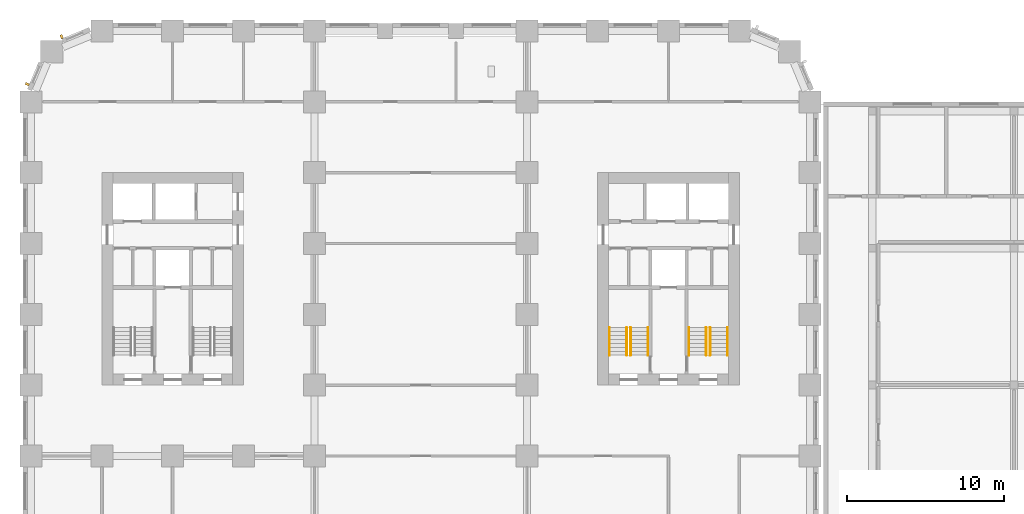
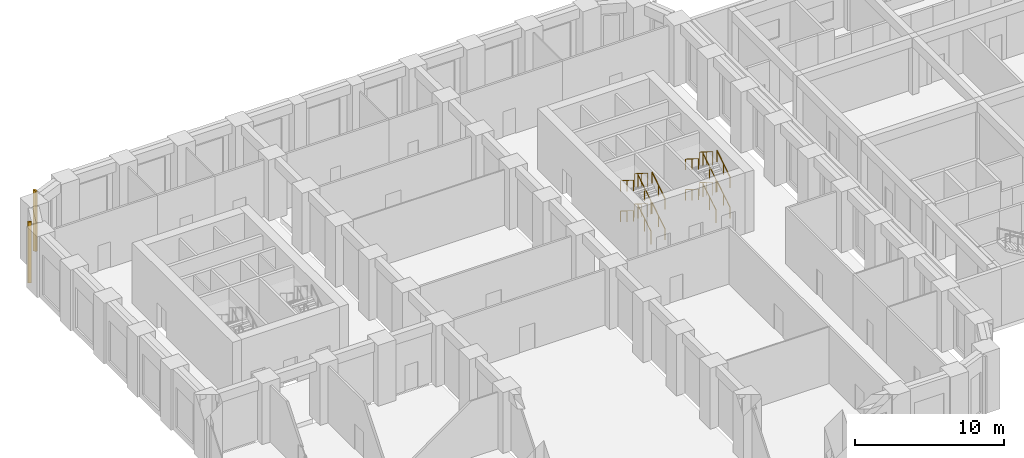
# One storey, part 15 of 19: 16 railings, 2 shading devices.
"""IFC4 building model written with IfcOpenShell, lengths in metres."""

from ifc_helpers import new_model, si_unit, direction, frame, origin, origin_2d, place, context, subcontext, project, spatial, rectangle, circle, extrude, material, type_object, element, save


model = new_model("IFC4")

# Units and contexts
model_context = context("Model", 3, precision=1e-05, world=origin(), true_north=direction((0.0, 1.0)))
body_context = subcontext(model_context, "Body", "Model", "MODEL_VIEW")
ifc_project = project(units=[si_unit("LENGTHUNIT", "METRE"), si_unit("AREAUNIT", "SQUARE_METRE"), si_unit("VOLUMEUNIT", "CUBIC_METRE"), si_unit("PLANEANGLEUNIT", "RADIAN"), si_unit("MASSUNIT", "GRAM", prefix="KILO")], contexts=[model_context])

# Site, building, storey
site_placement = place(None, origin())
site = spatial("IfcSite", under=ifc_project, at=site_placement, CompositionType="ELEMENT")
building_placement = place(site_placement, origin())
building = spatial("IfcBuilding", under=site, at=building_placement, Name="Girih Gate Residences", CompositionType="ELEMENT")
storey_placement = place(building_placement, frame((0.0, 0.0, 21.0)))
storey = spatial("IfcBuildingStorey", under=building, at=storey_placement, Name="L04", CompositionType="ELEMENT", Elevation=21.0)

# Shading devices
ifc_material_1 = material(Name="Precast concrete C50/60", Category="concrete")
shading_device_type = type_object("IfcShadingDeviceType", Name="Corner rib 150x250", PredefinedType="USERDEFINED", material=ifc_material_1)
for number, where, z_axis, x_axis, name in (
    (1, (1.9443359375, 49.14501953125, 0.0), (0.0, 0.0, 1.0), (-0.923879532511, -0.382683432365, 0.0), "Corner rib NW0045_0495.0"),
    (2, (-0.238037109375, 46.123779296875, 0.0), (0.0, 0.0, 1.0), (-0.382683432365, -0.923879532511, 0.0), "Corner rib NW0013_0482.0"),
):
    element("IfcShadingDevice", number, at=place(storey_placement, frame(where, z_axis=z_axis, x_axis=x_axis)), inside=storey, type_object=shading_device_type, Name=name, ObjectType="FIN", PredefinedType="USERDEFINED", context=body_context, shape_type="SweptSolid", body=[
        extrude(rectangle(XDim=0.14990234375, YDim=0.25, at=origin_2d()), origin(), (0.0, 0.0, 1.0), 5.0),
    ])

# Railings
ifc_material_2 = material(Name="Stainless steel", Category="steel")
railing_type_1 = type_object("IfcRailingType", Name="Stair guard 1100", PredefinedType="GUARDRAIL", material=ifc_material_2)
railing_1_placement = place(storey_placement, frame((43.14990234375, 28.89990234375, 0.15625)))
element("IfcRailing", 3, at=railing_1_placement, inside=storey, type_object=railing_type_1, Name="L04 ST-E1 stair guard 1", PredefinedType="GUARDRAIL", context=body_context, shape_type="SweptSolid", body=[
    extrude(circle(Radius=0.02392578125, at=origin_2d()), frame((0.0, 0.0, 1.076171875), z_axis=(0.0, 0.847998304005, 0.529998940003), x_axis=(-1.0, 0.0, 0.0)), (0.0, 0.0, 1.0), 2.063720703125),
    extrude(circle(Radius=0.02099609375, at=origin_2d()), origin(), (0.0, 0.0, 1.0), 1.052001953125),
    extrude(circle(Radius=0.02099609375, at=origin_2d()), frame((0.0, 0.875, 0.546875)), (0.0, 0.0, 1.0), 1.052001953125),
    extrude(circle(Radius=0.02099609375, at=origin_2d()), frame((0.0, 1.75, 1.09375)), (0.0, 0.0, 1.0), 1.052001953125),
])
railing_2_placement = place(storey_placement, frame((42.89990234375, 30.64990234375, 1.40625)))
element("IfcRailing", 4, at=railing_2_placement, inside=storey, type_object=railing_type_1, Name="L04 ST-E1 stair guard 2", PredefinedType="GUARDRAIL", context=body_context, shape_type="SweptSolid", body=[
    extrude(circle(Radius=0.02392578125, at=origin_2d()), frame((0.0, 0.0, 1.076171875), z_axis=(0.0, -0.847998304005, 0.529998940003), x_axis=(1.0, 0.0, 0.0)), (0.0, 0.0, 1.0), 2.063720703125),
    extrude(circle(Radius=0.02099609375, at=origin_2d()), origin(), (0.0, 0.0, 1.0), 1.052001953125),
    extrude(circle(Radius=0.02099609375, at=origin_2d()), frame((0.0, -0.875, 0.546875)), (0.0, 0.0, 1.0), 1.052001953125),
    extrude(circle(Radius=0.02099609375, at=origin_2d()), frame((0.0, -1.75, 1.09375)), (0.0, 0.0, 1.0), 1.052001953125),
])
railing_3_placement = place(storey_placement, frame((43.14990234375, 28.89990234375, 2.65625)))
element("IfcRailing", 5, at=railing_3_placement, inside=storey, type_object=railing_type_1, Name="L04 ST-E1 stair guard 3", PredefinedType="GUARDRAIL", context=body_context, shape_type="SweptSolid", body=[
    extrude(circle(Radius=0.02392578125, at=origin_2d()), frame((0.0, 0.0, 1.076171875), z_axis=(0.0, 0.847998304005, 0.529998940003), x_axis=(-1.0, 0.0, 0.0)), (0.0, 0.0, 1.0), 2.063720703125),
    extrude(circle(Radius=0.02099609375, at=origin_2d()), origin(), (0.0, 0.0, 1.0), 1.052001953125),
    extrude(circle(Radius=0.02099609375, at=origin_2d()), frame((0.0, 0.875, 0.546875)), (0.0, 0.0, 1.0), 1.052001953125),
    extrude(circle(Radius=0.02099609375, at=origin_2d()), frame((0.0, 1.75, 1.09375)), (0.0, 0.0, 1.0), 1.052001953125),
])
railing_4_placement = place(storey_placement, frame((42.89990234375, 30.64990234375, 3.90625)))
element("IfcRailing", 6, at=railing_4_placement, inside=storey, type_object=railing_type_1, Name="L04 ST-E1 stair guard 4", PredefinedType="GUARDRAIL", context=body_context, shape_type="SweptSolid", body=[
    extrude(circle(Radius=0.02392578125, at=origin_2d()), frame((0.0, 0.0, 1.076171875), z_axis=(0.0, -0.847998304005, 0.529998940003), x_axis=(1.0, 0.0, 0.0)), (0.0, 0.0, 1.0), 2.063720703125),
    extrude(circle(Radius=0.02099609375, at=origin_2d()), origin(), (0.0, 0.0, 1.0), 1.052001953125),
    extrude(circle(Radius=0.02099609375, at=origin_2d()), frame((0.0, -0.875, 0.546875)), (0.0, 0.0, 1.0), 1.052001953125),
    extrude(circle(Radius=0.02099609375, at=origin_2d()), frame((0.0, -1.75, 1.09375)), (0.0, 0.0, 1.0), 1.052001953125),
])
railing_5_placement = place(storey_placement, frame((38.10009765625, 28.89990234375, 0.15625)))
element("IfcRailing", 7, at=railing_5_placement, inside=storey, type_object=railing_type_1, Name="L04 ST-E2 stair guard 1", PredefinedType="GUARDRAIL", context=body_context, shape_type="SweptSolid", body=[
    extrude(circle(Radius=0.02392578125, at=origin_2d()), frame((0.0, 0.0, 1.076171875), z_axis=(0.0, 0.847998304005, 0.529998940003), x_axis=(-1.0, 0.0, 0.0)), (0.0, 0.0, 1.0), 2.063720703125),
    extrude(circle(Radius=0.02099609375, at=origin_2d()), origin(), (0.0, 0.0, 1.0), 1.052001953125),
    extrude(circle(Radius=0.02099609375, at=origin_2d()), frame((0.0, 0.875, 0.546875)), (0.0, 0.0, 1.0), 1.052001953125),
    extrude(circle(Radius=0.02099609375, at=origin_2d()), frame((0.0, 1.75, 1.09375)), (0.0, 0.0, 1.0), 1.052001953125),
])
railing_6_placement = place(storey_placement, frame((37.85009765625, 30.64990234375, 1.40625)))
element("IfcRailing", 8, at=railing_6_placement, inside=storey, type_object=railing_type_1, Name="L04 ST-E2 stair guard 2", PredefinedType="GUARDRAIL", context=body_context, shape_type="SweptSolid", body=[
    extrude(circle(Radius=0.02392578125, at=origin_2d()), frame((0.0, 0.0, 1.076171875), z_axis=(0.0, -0.847998304005, 0.529998940003), x_axis=(1.0, 0.0, 0.0)), (0.0, 0.0, 1.0), 2.063720703125),
    extrude(circle(Radius=0.02099609375, at=origin_2d()), origin(), (0.0, 0.0, 1.0), 1.052001953125),
    extrude(circle(Radius=0.02099609375, at=origin_2d()), frame((0.0, -0.875, 0.546875)), (0.0, 0.0, 1.0), 1.052001953125),
    extrude(circle(Radius=0.02099609375, at=origin_2d()), frame((0.0, -1.75, 1.09375)), (0.0, 0.0, 1.0), 1.052001953125),
])
railing_7_placement = place(storey_placement, frame((38.10009765625, 28.89990234375, 2.65625)))
element("IfcRailing", 9, at=railing_7_placement, inside=storey, type_object=railing_type_1, Name="L04 ST-E2 stair guard 3", PredefinedType="GUARDRAIL", context=body_context, shape_type="SweptSolid", body=[
    extrude(circle(Radius=0.02392578125, at=origin_2d()), frame((0.0, 0.0, 1.076171875), z_axis=(0.0, 0.847998304005, 0.529998940003), x_axis=(-1.0, 0.0, 0.0)), (0.0, 0.0, 1.0), 2.063720703125),
    extrude(circle(Radius=0.02099609375, at=origin_2d()), origin(), (0.0, 0.0, 1.0), 1.052001953125),
    extrude(circle(Radius=0.02099609375, at=origin_2d()), frame((0.0, 0.875, 0.546875)), (0.0, 0.0, 1.0), 1.052001953125),
    extrude(circle(Radius=0.02099609375, at=origin_2d()), frame((0.0, 1.75, 1.09375)), (0.0, 0.0, 1.0), 1.052001953125),
])
railing_8_placement = place(storey_placement, frame((37.85009765625, 30.64990234375, 3.90625)))
element("IfcRailing", 10, at=railing_8_placement, inside=storey, type_object=railing_type_1, Name="L04 ST-E2 stair guard 4", PredefinedType="GUARDRAIL", context=body_context, shape_type="SweptSolid", body=[
    extrude(circle(Radius=0.02392578125, at=origin_2d()), frame((0.0, 0.0, 1.076171875), z_axis=(0.0, -0.847998304005, 0.529998940003), x_axis=(1.0, 0.0, 0.0)), (0.0, 0.0, 1.0), 2.063720703125),
    extrude(circle(Radius=0.02099609375, at=origin_2d()), origin(), (0.0, 0.0, 1.0), 1.052001953125),
    extrude(circle(Radius=0.02099609375, at=origin_2d()), frame((0.0, -0.875, 0.546875)), (0.0, 0.0, 1.0), 1.052001953125),
    extrude(circle(Radius=0.02099609375, at=origin_2d()), frame((0.0, -1.75, 1.09375)), (0.0, 0.0, 1.0), 1.052001953125),
])
railing_type_2 = type_object("IfcRailingType", Name="Stair handrail 900", PredefinedType="HANDRAIL", material=ifc_material_2)
railing_9_placement = place(storey_placement, frame((44.25, 28.89990234375, 0.15625)))
element("IfcRailing", 11, at=railing_9_placement, inside=storey, type_object=railing_type_2, Name="L04 ST-E1 stair handrail 1", PredefinedType="HANDRAIL", context=body_context, shape_type="SweptSolid", body=[
    extrude(circle(Radius=0.02392578125, at=origin_2d()), frame((0.0, 0.0, 0.8857421875), z_axis=(0.0, 0.847998304005, 0.529998940003), x_axis=(-1.0, 0.0, 0.0)), (0.0, 0.0, 1.0), 2.063720703125),
    extrude(circle(Radius=0.02099609375, at=origin_2d()), origin(), (0.0, 0.0, 1.0), 0.86181640625),
    extrude(circle(Radius=0.02099609375, at=origin_2d()), frame((0.0, 0.875, 0.546875)), (0.0, 0.0, 1.0), 0.86181640625),
    extrude(circle(Radius=0.02099609375, at=origin_2d()), frame((0.0, 1.75, 1.09375)), (0.0, 0.0, 1.0), 0.86181640625),
])
railing_10_placement = place(storey_placement, frame((41.800048828125, 30.64990234375, 1.40625)))
element("IfcRailing", 12, at=railing_10_placement, inside=storey, type_object=railing_type_2, Name="L04 ST-E1 stair handrail 2", PredefinedType="HANDRAIL", context=body_context, shape_type="SweptSolid", body=[
    extrude(circle(Radius=0.02392578125, at=origin_2d()), frame((0.0, 0.0, 0.8857421875), z_axis=(0.0, -0.847998304005, 0.529998940003), x_axis=(1.0, 0.0, 0.0)), (0.0, 0.0, 1.0), 2.063720703125),
    extrude(circle(Radius=0.02099609375, at=origin_2d()), origin(), (0.0, 0.0, 1.0), 0.86181640625),
    extrude(circle(Radius=0.02099609375, at=origin_2d()), frame((0.0, -0.875, 0.546875)), (0.0, 0.0, 1.0), 0.86181640625),
    extrude(circle(Radius=0.02099609375, at=origin_2d()), frame((0.0, -1.75, 1.09375)), (0.0, 0.0, 1.0), 0.86181640625),
])
railing_11_placement = place(storey_placement, frame((44.25, 28.89990234375, 2.65625)))
element("IfcRailing", 13, at=railing_11_placement, inside=storey, type_object=railing_type_2, Name="L04 ST-E1 stair handrail 3", PredefinedType="HANDRAIL", context=body_context, shape_type="SweptSolid", body=[
    extrude(circle(Radius=0.02392578125, at=origin_2d()), frame((0.0, 0.0, 0.8857421875), z_axis=(0.0, 0.847998304005, 0.529998940003), x_axis=(-1.0, 0.0, 0.0)), (0.0, 0.0, 1.0), 2.063720703125),
    extrude(circle(Radius=0.02099609375, at=origin_2d()), origin(), (0.0, 0.0, 1.0), 0.86181640625),
    extrude(circle(Radius=0.02099609375, at=origin_2d()), frame((0.0, 0.875, 0.546875)), (0.0, 0.0, 1.0), 0.86181640625),
    extrude(circle(Radius=0.02099609375, at=origin_2d()), frame((0.0, 1.75, 1.09375)), (0.0, 0.0, 1.0), 0.86181640625),
])
railing_12_placement = place(storey_placement, frame((41.800048828125, 30.64990234375, 3.90625)))
element("IfcRailing", 14, at=railing_12_placement, inside=storey, type_object=railing_type_2, Name="L04 ST-E1 stair handrail 4", PredefinedType="HANDRAIL", context=body_context, shape_type="SweptSolid", body=[
    extrude(circle(Radius=0.02392578125, at=origin_2d()), frame((0.0, 0.0, 0.8857421875), z_axis=(0.0, -0.847998304005, 0.529998940003), x_axis=(1.0, 0.0, 0.0)), (0.0, 0.0, 1.0), 2.063720703125),
    extrude(circle(Radius=0.02099609375, at=origin_2d()), origin(), (0.0, 0.0, 1.0), 0.86181640625),
    extrude(circle(Radius=0.02099609375, at=origin_2d()), frame((0.0, -0.875, 0.546875)), (0.0, 0.0, 1.0), 0.86181640625),
    extrude(circle(Radius=0.02099609375, at=origin_2d()), frame((0.0, -1.75, 1.09375)), (0.0, 0.0, 1.0), 0.86181640625),
])
railing_13_placement = place(storey_placement, frame((39.199951171875, 28.89990234375, 0.15625)))
element("IfcRailing", 15, at=railing_13_placement, inside=storey, type_object=railing_type_2, Name="L04 ST-E2 stair handrail 1", PredefinedType="HANDRAIL", context=body_context, shape_type="SweptSolid", body=[
    extrude(circle(Radius=0.02392578125, at=origin_2d()), frame((0.0, 0.0, 0.8857421875), z_axis=(0.0, 0.847998304005, 0.529998940003), x_axis=(-1.0, 0.0, 0.0)), (0.0, 0.0, 1.0), 2.063720703125),
    extrude(circle(Radius=0.02099609375, at=origin_2d()), origin(), (0.0, 0.0, 1.0), 0.86181640625),
    extrude(circle(Radius=0.02099609375, at=origin_2d()), frame((0.0, 0.875, 0.546875)), (0.0, 0.0, 1.0), 0.86181640625),
    extrude(circle(Radius=0.02099609375, at=origin_2d()), frame((0.0, 1.75, 1.09375)), (0.0, 0.0, 1.0), 0.86181640625),
])
railing_14_placement = place(storey_placement, frame((36.75, 30.64990234375, 1.40625)))
element("IfcRailing", 16, at=railing_14_placement, inside=storey, type_object=railing_type_2, Name="L04 ST-E2 stair handrail 2", PredefinedType="HANDRAIL", context=body_context, shape_type="SweptSolid", body=[
    extrude(circle(Radius=0.02392578125, at=origin_2d()), frame((0.0, 0.0, 0.8857421875), z_axis=(0.0, -0.847998304005, 0.529998940003), x_axis=(1.0, 0.0, 0.0)), (0.0, 0.0, 1.0), 2.063720703125),
    extrude(circle(Radius=0.02099609375, at=origin_2d()), origin(), (0.0, 0.0, 1.0), 0.86181640625),
    extrude(circle(Radius=0.02099609375, at=origin_2d()), frame((0.0, -0.875, 0.546875)), (0.0, 0.0, 1.0), 0.86181640625),
    extrude(circle(Radius=0.02099609375, at=origin_2d()), frame((0.0, -1.75, 1.09375)), (0.0, 0.0, 1.0), 0.86181640625),
])
railing_15_placement = place(storey_placement, frame((39.199951171875, 28.89990234375, 2.65625)))
element("IfcRailing", 17, at=railing_15_placement, inside=storey, type_object=railing_type_2, Name="L04 ST-E2 stair handrail 3", PredefinedType="HANDRAIL", context=body_context, shape_type="SweptSolid", body=[
    extrude(circle(Radius=0.02392578125, at=origin_2d()), frame((0.0, 0.0, 0.8857421875), z_axis=(0.0, 0.847998304005, 0.529998940003), x_axis=(-1.0, 0.0, 0.0)), (0.0, 0.0, 1.0), 2.063720703125),
    extrude(circle(Radius=0.02099609375, at=origin_2d()), origin(), (0.0, 0.0, 1.0), 0.86181640625),
    extrude(circle(Radius=0.02099609375, at=origin_2d()), frame((0.0, 0.875, 0.546875)), (0.0, 0.0, 1.0), 0.86181640625),
    extrude(circle(Radius=0.02099609375, at=origin_2d()), frame((0.0, 1.75, 1.09375)), (0.0, 0.0, 1.0), 0.86181640625),
])
railing_16_placement = place(storey_placement, frame((36.75, 30.64990234375, 3.90625)))
element("IfcRailing", 18, at=railing_16_placement, inside=storey, type_object=railing_type_2, Name="L04 ST-E2 stair handrail 4", PredefinedType="HANDRAIL", context=body_context, shape_type="SweptSolid", body=[
    extrude(circle(Radius=0.02392578125, at=origin_2d()), frame((0.0, 0.0, 0.8857421875), z_axis=(0.0, -0.847998304005, 0.529998940003), x_axis=(1.0, 0.0, 0.0)), (0.0, 0.0, 1.0), 2.063720703125),
    extrude(circle(Radius=0.02099609375, at=origin_2d()), origin(), (0.0, 0.0, 1.0), 0.86181640625),
    extrude(circle(Radius=0.02099609375, at=origin_2d()), frame((0.0, -0.875, 0.546875)), (0.0, 0.0, 1.0), 0.86181640625),
    extrude(circle(Radius=0.02099609375, at=origin_2d()), frame((0.0, -1.75, 1.09375)), (0.0, 0.0, 1.0), 0.86181640625),
])

save(model, "model.ifc")
